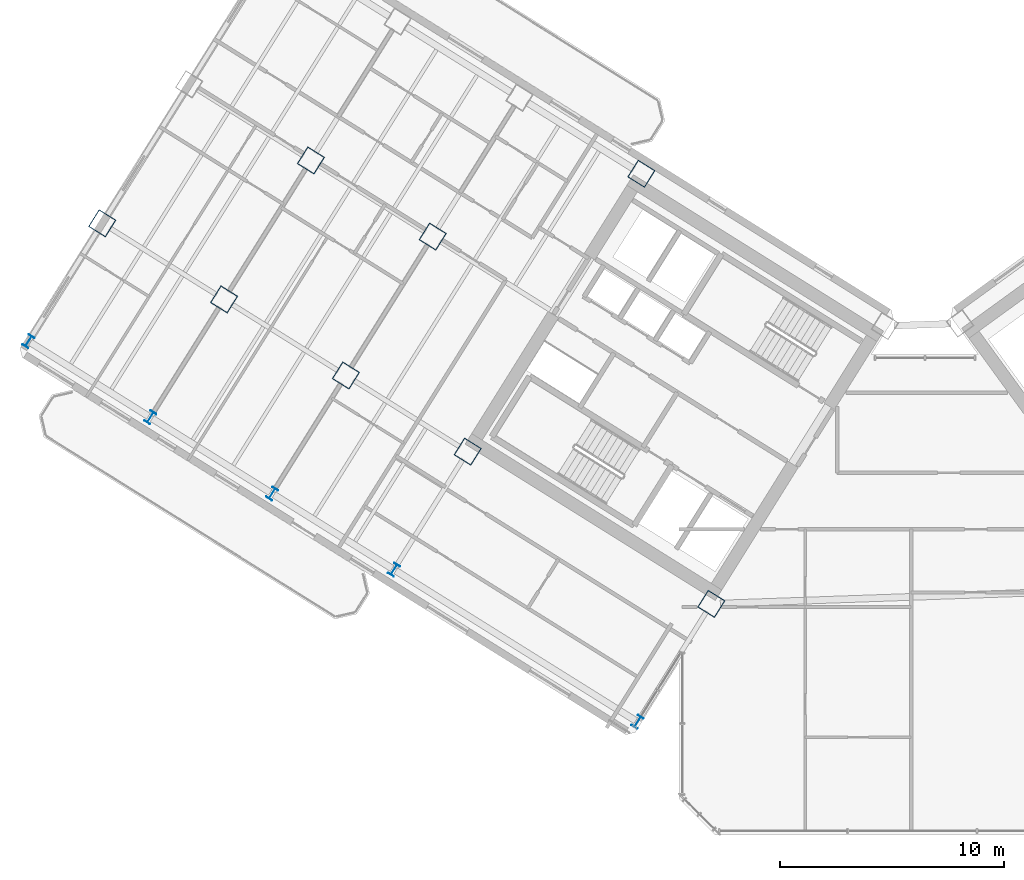
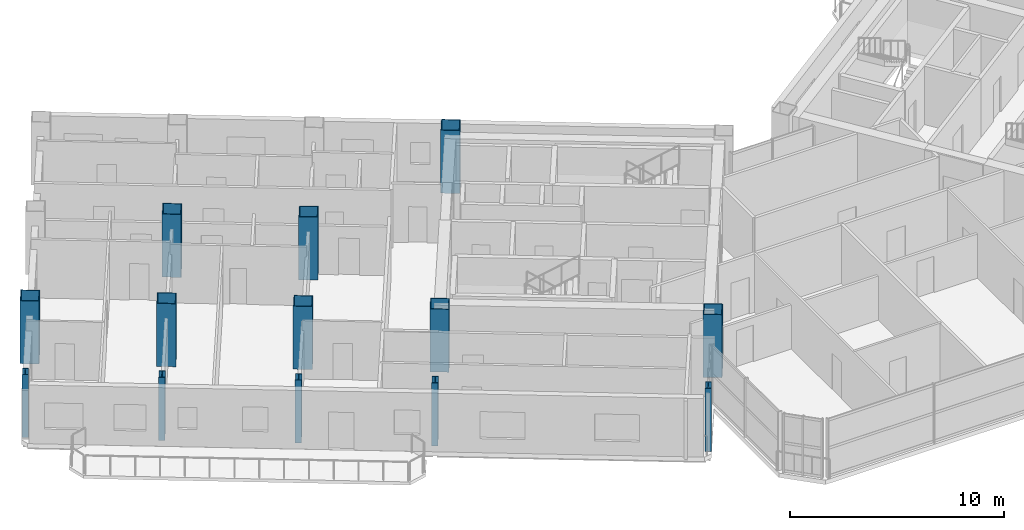
# One storey, part 1 of 25: 13 columns.
"""IFC4 building model written with IfcOpenShell, lengths in metres."""

from ifc_helpers import new_model, si_unit, direction, frame, origin, origin_2d, place, context, subcontext, project, spatial, hollow_rectangle, i_section, extrude, source, transform, mapped, material, material_profile, profile_set, type_object, element, save


model = new_model("IFC4")

# Units and contexts
model_context = context("Model", 3, precision=1e-05, world=origin(), true_north=direction((0.0, 1.0)))
body_context = subcontext(model_context, "Body", "Model", "MODEL_VIEW")
ifc_project = project(units=[si_unit("LENGTHUNIT", "METRE"), si_unit("AREAUNIT", "SQUARE_METRE"), si_unit("VOLUMEUNIT", "CUBIC_METRE"), si_unit("PLANEANGLEUNIT", "RADIAN"), si_unit("MASSUNIT", "GRAM", prefix="KILO")], contexts=[model_context])

# Site, building, storey
site_placement = place(None, origin())
site = spatial("IfcSite", under=ifc_project, at=site_placement, CompositionType="ELEMENT")
building_placement = place(site_placement, origin())
building = spatial("IfcBuilding", under=site, at=building_placement, Name="Tlacorven Tower", CompositionType="ELEMENT")
storey_placement = place(building_placement, frame((0.0, 0.0, 162.300048828125)))
storey = spatial("IfcBuildingStorey", under=building, at=storey_placement, Name="L41", CompositionType="ELEMENT", Elevation=162.300048828125)

# Columns
ifc_material = material(Name="Steel S460M", Category="steel")
ifc_material_profile_1 = material_profile(ifc_material, hollow_rectangle(XDim=0.89990234375, YDim=0.89990234375, WallThickness=0.035888671875, at=origin_2d()), Name="BOX 900X900X36")
ifc_profile_set_1 = profile_set([ifc_material_profile_1], Name="Steel S460M")
column_type_1 = type_object("IfcColumnType", Name="COL-TWR-S2", PredefinedType="COLUMN", material=ifc_profile_set_1)
shared_shape_1 = source(origin(), body_context, "Body", "SweptSolid", [
    extrude(hollow_rectangle(XDim=0.89990234375, YDim=0.89990234375, WallThickness=0.035888671875, at=origin_2d()), origin(), (0.0, 0.0, 1.0), 3.599853515625),
])
for number, where, z_axis, x_axis, name in (
    (1, (33.046142578125, 12.0869140625, 0.0), (0.0, 0.0, 1.0), (-0.848048096156, 0.529919264233, 0.0), "L41 column COL-L41-W1-3"),
    (2, (29.927978515625, 31.25146484375, 0.0), (0.0, 0.0, 1.0), (-0.848048096156, 0.529919264233, 0.0), "L41 column COL-L41-W3-1"),
    (3, (22.191162109375, 18.869873046875, 0.0), (0.0, 0.0, 1.0), (-0.848048096156, 0.529919264233, 0.0), "L41 column COL-L41-W3-3"),
    (4, (20.632080078125, 28.4521484375, 0.0), (0.0, 0.0, 1.0), (-0.848048096156, 0.529919264233, 0.0), "L41 column COL-L41-W4-2"),
    (5, (16.763671875, 22.26123046875, 0.0), (0.0, 0.0, 1.0), (-0.848048096156, 0.529919264233, 0.0), "L41 column COL-L41-W4-3"),
    (6, (15.20458984375, 31.843505859375, 0.0), (0.0, 0.0, 1.0), (-0.848048096156, 0.529919264233, 0.0), "L41 column COL-L41-W5-2"),
    (7, (11.336181640625, 25.65283203125, 0.0), (0.0, 0.0, 1.0), (-0.848048096156, 0.529919264233, 0.0), "L41 column COL-L41-W5-3"),
    (8, (5.90869140625, 29.044189453125, 0.0), (0.0, 0.0, 1.0), (-0.848048096156, 0.529919264233, 0.0), "L41 column COL-L41-W6-3"),
):
    element("IfcColumn", number, at=place(storey_placement, frame(where, z_axis=z_axis, x_axis=x_axis)), inside=storey, type_object=column_type_1, Name=name, PredefinedType="COLUMN", context=body_context, shape_type="MappedRepresentation", body=[
        mapped(shared_shape_1, transform((0.0, 0.0, 0.0), scale=1.0)),
    ])
ifc_material_profile_2 = material_profile(ifc_material, i_section(OverallWidth=0.300048828125, OverallDepth=0.550048828125, WebThickness=0.014892578125, FlangeThickness=0.029052734375, at=origin_2d()), Name="HEB 550")
ifc_profile_set_2 = profile_set([ifc_material_profile_2], Name="Steel S460M")
column_type_2 = type_object("IfcColumnType", Name="COL-TWR-P2", PredefinedType="COLUMN", material=ifc_profile_set_2)
shared_shape_2 = source(origin(), body_context, "Body", "SweptSolid", [
    extrude(i_section(OverallWidth=0.300048828125, OverallDepth=0.550048828125, WebThickness=0.014892578125, FlangeThickness=0.029052734375, at=origin_2d()), origin(), (0.0, 0.0, 1.0), 3.599853515625),
])
for number, where, z_axis, x_axis, name in (
    (9, (29.7607421875, 6.8291015625, 0.0), (0.0, 0.0, 1.0), (-0.848048096156, 0.529919264233, 0.0), "L41 column COL-L41-W1-4"),
    (10, (18.905517578125, 13.612060546875, 0.0), (0.0, 0.0, 1.0), (-0.848048096156, 0.529919264233, 0.0), "L41 column COL-L41-W3-4"),
    (11, (13.47802734375, 17.00341796875, 0.0), (0.0, 0.0, 1.0), (-0.848048096156, 0.529919264233, 0.0), "L41 column COL-L41-W4-4"),
    (12, (8.050537109375, 20.39501953125, 0.0), (0.0, 0.0, 1.0), (-0.848048096156, 0.529919264233, 0.0), "L41 column COL-L41-W5-4"),
    (13, (2.623046875, 23.786376953125, 0.0), (0.0, 0.0, 1.0), (-0.848048096156, 0.529919264233, 0.0), "L41 column COL-L41-W6-4"),
):
    element("IfcColumn", number, at=place(storey_placement, frame(where, z_axis=z_axis, x_axis=x_axis)), inside=storey, type_object=column_type_2, Name=name, PredefinedType="COLUMN", context=body_context, shape_type="MappedRepresentation", body=[
        mapped(shared_shape_2, transform((0.0, 0.0, 0.0), scale=1.0)),
    ])

save(model, "model.ifc")
